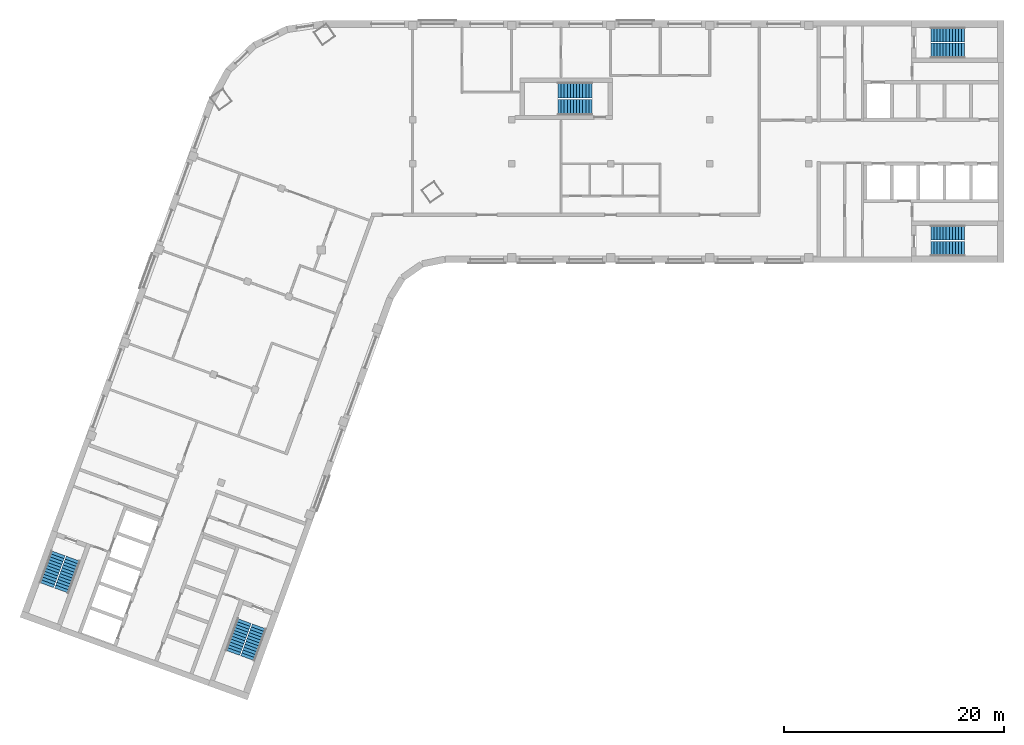
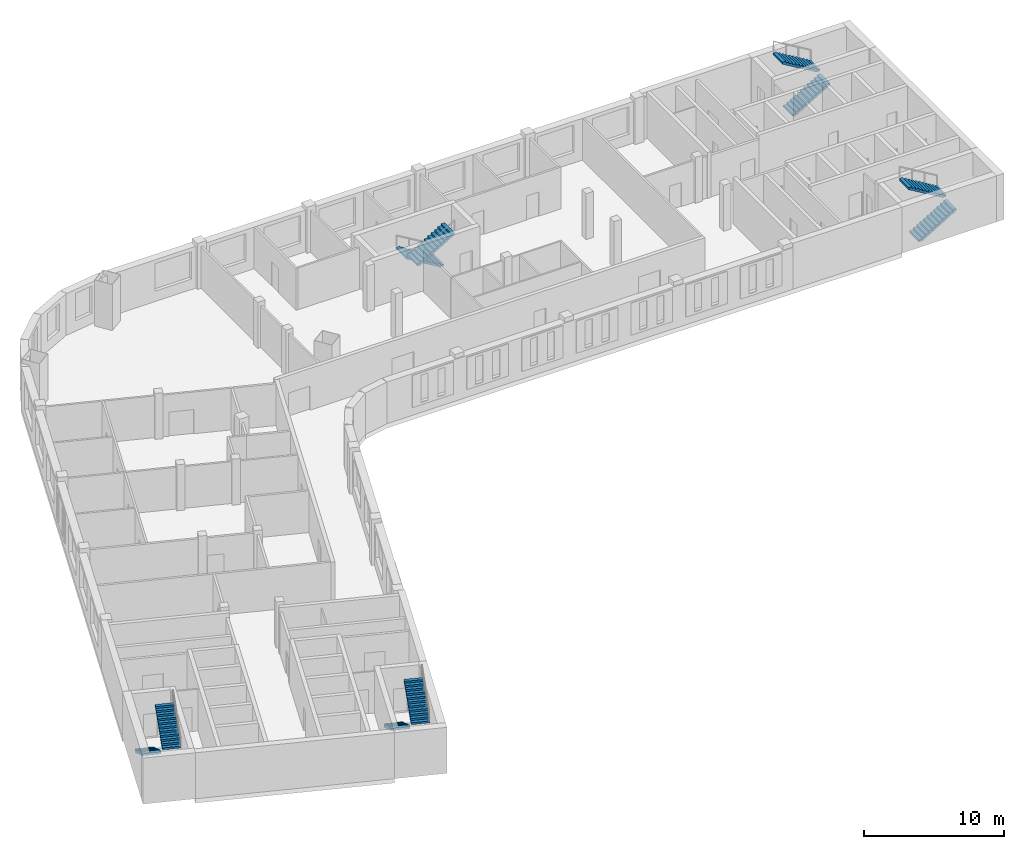
# One storey, part 7 of 8: 10 stair flights, 5 elements without a shape of their own.
"""IFC4 building model written with IfcOpenShell, lengths in metres."""

import ifcopenshell
import ifcopenshell.guid

model = None  # the IFC model being written
_history = None  # IfcOwnerHistory: only IFC2X3 demands one
_inside = {}  # id of a spatial element -> (the spatial element, [elements in it])
_under = {}  # id of a project, library or spatial element -> (it, [spatial elements below it])
_declared = {}  # id of a project -> (the project, [libraries it declares])
_typed = {}  # id of a type object -> (the type object, [elements of that type])
_made_of = {}  # id of a material, layer set ... -> (it, [elements and type objects made of it])


def new_model(schema):
    """Start an empty IFC model of exactly this schema.

    Asked for "IFC4X3", IfcOpenShell would pick the latest addendum, in which some entities
    have other attributes; the version numbers below select the first issue.
    IFC2X3 requires an IfcOwnerHistory on every rooted entity: one is made here for all.
    """
    global model, _history
    if schema == "IFC4X3":
        model = ifcopenshell.file(schema_version=(4, 3, 0, 0))
    else:
        model = ifcopenshell.file(schema=schema)
    _inside.clear()
    _under.clear()
    _declared.clear()
    _typed.clear()
    _made_of.clear()
    _history = None
    if model.schema == "IFC2X3":
        org = make("IfcOrganization", Name="unknown")
        user = make(
            "IfcPersonAndOrganization",
            ThePerson=make("IfcPerson", FamilyName="unknown"),
            TheOrganization=org,
        )
        app = make(
            "IfcApplication",
            ApplicationDeveloper=org,
            Version="unknown",
            ApplicationFullName="unknown",
            ApplicationIdentifier="unknown",
        )
        _history = make(
            "IfcOwnerHistory",
            OwningUser=user,
            OwningApplication=app,
            ChangeAction="ADDED",
            CreationDate=0,
        )
    return model


def make(cls, **values):
    """One entity of the class cls with the attributes given. An attribute that is None is left unset."""
    return model.create_entity(
        cls, **{name: value for name, value in values.items() if value is not None}
    )


def rooted(cls, **values):
    """An entity with a GlobalId (a new one), such as an element, a storey or a relation."""
    return make(cls, GlobalId=ifcopenshell.guid.new(), OwnerHistory=_history, **values)


def si_unit(unit_type, name, prefix=None):
    """IfcSIUnit, for example si_unit("LENGTHUNIT", "METRE", prefix="MILLI")."""
    return make("IfcSIUnit", UnitType=unit_type, Prefix=prefix, Name=name)


def assignment(units):
    """IfcUnitAssignment: the units of a project."""
    return None if units is None else make("IfcUnitAssignment", Units=units)


def point(xyz):
    """IfcCartesianPoint."""
    return None if xyz is None else make("IfcCartesianPoint", Coordinates=xyz)


def direction(xyz):
    """IfcDirection."""
    return None if xyz is None else make("IfcDirection", DirectionRatios=xyz)


def frame(location, z_axis=None, x_axis=None):
    """IfcAxis2Placement3D, a coordinate frame: its origin and axes. An axis left out is left unset."""
    return make(
        "IfcAxis2Placement3D",
        Location=point(location),
        Axis=direction(z_axis),
        RefDirection=direction(x_axis),
    )


def origin():
    """The frame at (0, 0, 0) with its axes left unset."""
    return frame((0.0, 0.0, 0.0))


def place(relative_to, where):
    """IfcLocalPlacement: puts the frame where relative to a parent placement (None: the world)."""
    return make(
        "IfcLocalPlacement", PlacementRelTo=relative_to, RelativePlacement=where
    )


def context(
    kind, dimensions, precision=None, world=None, true_north=None, identifier=None
):
    """IfcGeometricRepresentationContext, for example the 3D "Model" context."""
    return make(
        "IfcGeometricRepresentationContext",
        ContextIdentifier=identifier,
        ContextType=kind,
        CoordinateSpaceDimension=dimensions,
        Precision=precision,
        WorldCoordinateSystem=world,
        TrueNorth=true_north,
    )


def subcontext(parent, identifier, kind, view, scale=None):
    """IfcGeometricRepresentationSubContext, for example "Body" below "Model"."""
    return make(
        "IfcGeometricRepresentationSubContext",
        ContextIdentifier=identifier,
        ContextType=kind,
        ParentContext=parent,
        TargetScale=scale,
        TargetView=view,
    )


def project(units=None, contexts=None):
    """IfcProject with its units and contexts."""
    return rooted(
        "IfcProject",
        Name="project",
        RepresentationContexts=contexts,
        UnitsInContext=assignment(units),
    )


def spatial(cls, under=None, at=None, **own):
    """A site, building, storey or space (cls), placed at a placement, below another one or the project."""
    s = rooted(cls, ObjectPlacement=at, **own)
    if under is not None:
        _under.setdefault(under.id(), (under, []))[1].append(s)
    return s


def polyline(points):
    """IfcPolyline through the points."""
    return make("IfcPolyline", Points=[point(p) for p in points])


def outline(outer, holes=None, kind="AREA"):
    """IfcArbitraryClosedProfileDef: a profile drawn as a closed curve; with holes, ...WithVoids."""
    if holes is None:
        return make("IfcArbitraryClosedProfileDef", ProfileType=kind, OuterCurve=outer)
    return make(
        "IfcArbitraryProfileDefWithVoids",
        ProfileType=kind,
        OuterCurve=outer,
        InnerCurves=holes,
    )


def extrude(swept, where, along, depth):
    """IfcExtrudedAreaSolid: the profile swept, set in the frame where, extruded along a direction by depth."""
    return make(
        "IfcExtrudedAreaSolid",
        SweptArea=swept,
        Position=where,
        ExtrudedDirection=direction(along),
        Depth=depth,
    )


def shape(context_of_items, identifier, shape_type, items):
    """IfcShapeRepresentation: the items that make up one representation, for example the "Body"."""
    return make(
        "IfcShapeRepresentation",
        ContextOfItems=context_of_items,
        RepresentationIdentifier=identifier,
        RepresentationType=shape_type,
        Items=items,
    )


def material(Name=None, Category=None):
    """IfcMaterial."""
    return make("IfcMaterial", Name=Name, Category=Category)


def made_of(thing, what):
    """Note that an element or type object is made of a material, layer set ...; save() writes the relation."""
    if what is not None:
        _made_of.setdefault(what.id(), (what, []))[1].append(thing)
    return thing


def type_object(cls, material=None, **own):
    """A type object (cls), such as IfcWallType, which elements share."""
    return made_of(rooted(cls, **own), material)


def element(
    cls,
    number,
    at=None,
    inside=None,
    cuts=None,
    type_object=None,
    material=None,
    context=None,
    identifier="Body",
    shape_type=None,
    held_by="IfcProductDefinitionShape",
    body=None,
    shapes=None,
    **own,
):
    """One element of the class cls, such as IfcWall. Its Tag is "e" and its number.

    at: its placement. inside: the storey or other place that contains it. cuts: it is an
    opening in that element (IfcRelVoidsElement). A single representation is given by context,
    identifier, shape_type and body (its items); several are given by shapes. held_by: the class
    of the entity that holds the representations. save() writes the other relations.
    """
    e = rooted(cls, Tag="e%d" % number, ObjectPlacement=at, **own)
    if body is not None:
        shapes = [shape(context, identifier, shape_type, body)]
    if shapes is not None:
        e.Representation = make(held_by, Representations=shapes)
    if inside is not None:
        _inside.setdefault(inside.id(), (inside, []))[1].append(e)
    if cuts is not None:
        rooted(
            "IfcRelVoidsElement", RelatingBuildingElement=cuts, RelatedOpeningElement=e
        )
    if type_object is not None:
        _typed.setdefault(type_object.id(), (type_object, []))[1].append(e)
    return made_of(e, material)


def aggregate(whole, parts):
    """IfcRelAggregates: a whole, such as a stair, and the parts it consists of."""
    return rooted("IfcRelAggregates", RelatingObject=whole, RelatedObjects=parts)


def save(model, path):
    """Write the relations noted so far, then the file.

    IfcRelAggregates (storeys below a building ...), IfcRelContainedInSpatialStructure (elements
    in a storey), IfcRelDefinesByType, IfcRelAssociatesMaterial and IfcRelDeclares: one each for
    every whole, place, type object, material and project.
    """
    for whole, parts in _under.values():
        aggregate(whole, parts)
    for where, things in _inside.values():
        rooted(
            "IfcRelContainedInSpatialStructure",
            RelatedElements=things,
            RelatingStructure=where,
        )
    for kind, things in _typed.values():
        rooted("IfcRelDefinesByType", RelatedObjects=things, RelatingType=kind)
    for what, things in _made_of.values():
        rooted("IfcRelAssociatesMaterial", RelatedObjects=things, RelatingMaterial=what)
    for by, libraries in _declared.values():
        rooted("IfcRelDeclares", RelatingContext=by, RelatedDefinitions=libraries)
    model.write(path)


model = new_model("IFC4")

# Units and contexts
model_context = context("Model", 3, precision=1e-05, world=origin(), true_north=direction((0.0, 1.0)))
body_context = subcontext(model_context, "Body", "Model", "MODEL_VIEW")
ifc_project = project(units=[si_unit("LENGTHUNIT", "METRE"), si_unit("AREAUNIT", "SQUARE_METRE"), si_unit("VOLUMEUNIT", "CUBIC_METRE"), si_unit("PLANEANGLEUNIT", "RADIAN"), si_unit("MASSUNIT", "GRAM", prefix="KILO")], contexts=[model_context])

# Site, building, storey
site_placement = place(None, origin())
site = spatial("IfcSite", under=ifc_project, at=site_placement, CompositionType="ELEMENT")
building_placement = place(site_placement, origin())
building = spatial("IfcBuilding", under=site, at=building_placement, Name="Skarvind Civic Tower", CompositionType="ELEMENT")
storey_placement = place(building_placement, frame((0.0, 0.0, 196.0)))
storey = spatial("IfcBuildingStorey", under=building, at=storey_placement, Name="L46", CompositionType="ELEMENT", Elevation=196.0)

# Stair, stair flights
ifc_material = material(Name="Concrete C40/50", Category="concrete")
stair_type_1 = type_object("IfcStairType", Name="Exit stair 1450, half-turn, concrete", PredefinedType="HALF_TURN_STAIR", material=ifc_material)
stair_1_placement = place(storey_placement, origin())
stair_1 = element("IfcStair", 1, at=stair_1_placement, inside=storey, type_object=stair_type_1, Name="Exit stair CM", PredefinedType="HALF_TURN_STAIR")
stair_flight_type_1 = type_object("IfcStairFlightType", Name="Stair flight 1450, concrete", PredefinedType="STRAIGHT", material=ifc_material)
stair_flight_1_placement = place(storey_placement, frame((70.550048828125, 132.675048828125, 0.0), z_axis=(0.0, 0.0, 1.0), x_axis=(-1.0, 0.0, 0.0)))
stair_flight_1 = element("IfcStairFlight", 2, at=stair_flight_1_placement, type_object=stair_flight_type_1, Name="ST-CM flight 1", NumberOfRisers=12, NumberOfTreads=11, PredefinedType="STRAIGHT", RiserHeight=0.166666667, TreadLength=0.28, context=body_context, shape_type="SweptSolid", body=[
    extrude(outline(polyline([(0.0, 0.0), (0.0, 0.166748046875), (0.280029296875, 0.166748046875), (0.280029296875, 0.333251953125), (0.56005859375, 0.333251953125), (0.56005859375, 0.5), (0.840087890625, 0.5), (0.840087890625, 0.666748046875), (1.1201171875, 0.666748046875), (1.1201171875, 0.833251953125), (1.39990234375, 0.833251953125), (1.39990234375, 1.0), (1.679931640625, 1.0), (1.679931640625, 1.166748046875), (1.9599609375, 1.166748046875), (1.9599609375, 1.333251953125), (2.239990234375, 1.333251953125), (2.239990234375, 1.5), (2.52001953125, 1.5), (2.52001953125, 1.666748046875), (2.800048828125, 1.666748046875), (2.800048828125, 1.833251953125), (3.080078125, 1.833251953125), (3.080078125, 2.0), (3.080078125, 1.658935546875), (0.29296875, 0.0), (0.0, 0.0)])), frame((0.0, 0.72509765625, 0.0), z_axis=(0.0, -1.0, 0.0), x_axis=(1.0, 0.0, 0.0)), (0.0, 0.0, 1.0), 1.449951171875),
])
stair_flight_2_placement = place(storey_placement, frame((67.469970703125, 131.125, 2.0), z_axis=(0.0, 0.0, 1.0), x_axis=(1.0, 0.0, 0.0)))
stair_flight_2 = element("IfcStairFlight", 3, at=stair_flight_2_placement, type_object=stair_flight_type_1, Name="ST-CM flight 2", NumberOfRisers=12, NumberOfTreads=11, PredefinedType="STRAIGHT", RiserHeight=0.166666667, TreadLength=0.28, context=body_context, shape_type="SweptSolid", body=[
    extrude(outline(polyline([(0.0, 0.0), (0.0, 0.166748046875), (0.280029296875, 0.166748046875), (0.280029296875, 0.333251953125), (0.56005859375, 0.333251953125), (0.56005859375, 0.5), (0.840087890625, 0.5), (0.840087890625, 0.666748046875), (1.1201171875, 0.666748046875), (1.1201171875, 0.833251953125), (1.39990234375, 0.833251953125), (1.39990234375, 1.0), (1.679931640625, 1.0), (1.679931640625, 1.166748046875), (1.9599609375, 1.166748046875), (1.9599609375, 1.333251953125), (2.239990234375, 1.333251953125), (2.239990234375, 1.5), (2.52001953125, 1.5), (2.52001953125, 1.666748046875), (2.800048828125, 1.666748046875), (2.800048828125, 1.833251953125), (3.080078125, 1.833251953125), (3.080078125, 2.0), (3.080078125, 1.658935546875), (0.29296875, 0.0), (0.0, 0.0)])), frame((0.0, 0.72509765625, 0.0), z_axis=(0.0, -1.0, 0.0), x_axis=(1.0, 0.0, 0.0)), (0.0, 0.0, 1.0), 1.449951171875),
])
aggregate(stair_1, [stair_flight_1, stair_flight_2])

stair_type_2 = type_object("IfcStairType", Name="Exit stair, half-turn, concrete", PredefinedType="HALF_TURN_STAIR", material=ifc_material)
stair_2_placement = place(storey_placement, origin())
stair_2 = element("IfcStair", 4, at=stair_2_placement, inside=storey, type_object=stair_type_2, Name="Exit stair C1S", PredefinedType="HALF_TURN_STAIR")
stair_flight_type_2 = type_object("IfcStairFlightType", Name="Stair flight, concrete", PredefinedType="STRAIGHT", material=ifc_material)
stair_flight_3_placement = place(storey_placement, frame((101.35009765625, 136.27490234375, 0.0), z_axis=(0.0, 0.0, 1.0), x_axis=(1.0, 0.0, 0.0)))
stair_flight_3 = element("IfcStairFlight", 5, at=stair_flight_3_placement, type_object=stair_flight_type_2, Name="ST-C1S flight 1", NumberOfRisers=12, NumberOfTreads=11, PredefinedType="STRAIGHT", RiserHeight=0.166666667, TreadLength=0.28, context=body_context, shape_type="SweptSolid", body=[
    extrude(outline(polyline([(0.0, 0.0), (0.0, 0.166748046875), (0.280029296875, 0.166748046875), (0.280029296875, 0.333251953125), (0.56005859375, 0.333251953125), (0.56005859375, 0.5), (0.840087890625, 0.5), (0.840087890625, 0.666748046875), (1.1201171875, 0.666748046875), (1.1201171875, 0.833251953125), (1.39990234375, 0.833251953125), (1.39990234375, 1.0), (1.679931640625, 1.0), (1.679931640625, 1.166748046875), (1.9599609375, 1.166748046875), (1.9599609375, 1.333251953125), (2.239990234375, 1.333251953125), (2.239990234375, 1.5), (2.52001953125, 1.5), (2.52001953125, 1.666748046875), (2.800048828125, 1.666748046875), (2.800048828125, 1.833251953125), (3.080078125, 1.833251953125), (3.080078125, 2.0), (3.080078125, 1.658935546875), (0.29296875, 0.0), (0.0, 0.0)])), frame((0.0, 0.675048828125, 0.0), z_axis=(0.0, -1.0, 0.0), x_axis=(1.0, 0.0, 0.0)), (0.0, 0.0, 1.0), 1.35009765625),
])
stair_flight_4_placement = place(storey_placement, frame((104.429931640625, 137.72509765625, 2.0), z_axis=(0.0, 0.0, 1.0), x_axis=(-1.0, 0.0, 0.0)))
stair_flight_4 = element("IfcStairFlight", 6, at=stair_flight_4_placement, type_object=stair_flight_type_2, Name="ST-C1S flight 2", NumberOfRisers=12, NumberOfTreads=11, PredefinedType="STRAIGHT", RiserHeight=0.166666667, TreadLength=0.28, context=body_context, shape_type="SweptSolid", body=[
    extrude(outline(polyline([(0.0, 0.0), (0.0, 0.166748046875), (0.280029296875, 0.166748046875), (0.280029296875, 0.333251953125), (0.56005859375, 0.333251953125), (0.56005859375, 0.5), (0.840087890625, 0.5), (0.840087890625, 0.666748046875), (1.1201171875, 0.666748046875), (1.1201171875, 0.833251953125), (1.39990234375, 0.833251953125), (1.39990234375, 1.0), (1.679931640625, 1.0), (1.679931640625, 1.166748046875), (1.9599609375, 1.166748046875), (1.9599609375, 1.333251953125), (2.239990234375, 1.333251953125), (2.239990234375, 1.5), (2.52001953125, 1.5), (2.52001953125, 1.666748046875), (2.800048828125, 1.666748046875), (2.800048828125, 1.833251953125), (3.080078125, 1.833251953125), (3.080078125, 2.0), (3.080078125, 1.658935546875), (0.29296875, 0.0), (0.0, 0.0)])), frame((0.0, 0.675048828125, 0.0), z_axis=(0.0, -1.0, 0.0), x_axis=(1.0, 0.0, 0.0)), (0.0, 0.0, 1.0), 1.35009765625),
])
aggregate(stair_2, [stair_flight_3, stair_flight_4])

stair_3_placement = place(storey_placement, origin())
stair_3 = element("IfcStair", 7, at=stair_3_placement, inside=storey, type_object=stair_type_2, Name="Exit stair C1N", PredefinedType="HALF_TURN_STAIR")
stair_flight_5_placement = place(storey_placement, frame((101.35009765625, 118.27490234375, 0.0), z_axis=(0.0, 0.0, 1.0), x_axis=(1.0, 0.0, 0.0)))
stair_flight_5 = element("IfcStairFlight", 8, at=stair_flight_5_placement, type_object=stair_flight_type_2, Name="ST-C1N flight 1", NumberOfRisers=12, NumberOfTreads=11, PredefinedType="STRAIGHT", RiserHeight=0.166666667, TreadLength=0.28, context=body_context, shape_type="SweptSolid", body=[
    extrude(outline(polyline([(0.0, 0.0), (0.0, 0.166748046875), (0.280029296875, 0.166748046875), (0.280029296875, 0.333251953125), (0.56005859375, 0.333251953125), (0.56005859375, 0.5), (0.840087890625, 0.5), (0.840087890625, 0.666748046875), (1.1201171875, 0.666748046875), (1.1201171875, 0.833251953125), (1.39990234375, 0.833251953125), (1.39990234375, 1.0), (1.679931640625, 1.0), (1.679931640625, 1.166748046875), (1.9599609375, 1.166748046875), (1.9599609375, 1.333251953125), (2.239990234375, 1.333251953125), (2.239990234375, 1.5), (2.52001953125, 1.5), (2.52001953125, 1.666748046875), (2.800048828125, 1.666748046875), (2.800048828125, 1.833251953125), (3.080078125, 1.833251953125), (3.080078125, 2.0), (3.080078125, 1.658935546875), (0.29296875, 0.0), (0.0, 0.0)])), frame((0.0, 0.675048828125, 0.0), z_axis=(0.0, -1.0, 0.0), x_axis=(1.0, 0.0, 0.0)), (0.0, 0.0, 1.0), 1.35009765625),
])
stair_flight_6_placement = place(storey_placement, frame((104.429931640625, 119.72509765625, 2.0), z_axis=(0.0, 0.0, 1.0), x_axis=(-1.0, 0.0, 0.0)))
stair_flight_6 = element("IfcStairFlight", 9, at=stair_flight_6_placement, type_object=stair_flight_type_2, Name="ST-C1N flight 2", NumberOfRisers=12, NumberOfTreads=11, PredefinedType="STRAIGHT", RiserHeight=0.166666667, TreadLength=0.28, context=body_context, shape_type="SweptSolid", body=[
    extrude(outline(polyline([(0.0, 0.0), (0.0, 0.166748046875), (0.280029296875, 0.166748046875), (0.280029296875, 0.333251953125), (0.56005859375, 0.333251953125), (0.56005859375, 0.5), (0.840087890625, 0.5), (0.840087890625, 0.666748046875), (1.1201171875, 0.666748046875), (1.1201171875, 0.833251953125), (1.39990234375, 0.833251953125), (1.39990234375, 1.0), (1.679931640625, 1.0), (1.679931640625, 1.166748046875), (1.9599609375, 1.166748046875), (1.9599609375, 1.333251953125), (2.239990234375, 1.333251953125), (2.239990234375, 1.5), (2.52001953125, 1.5), (2.52001953125, 1.666748046875), (2.800048828125, 1.666748046875), (2.800048828125, 1.833251953125), (3.080078125, 1.833251953125), (3.080078125, 2.0), (3.080078125, 1.658935546875), (0.29296875, 0.0), (0.0, 0.0)])), frame((0.0, 0.675048828125, 0.0), z_axis=(0.0, -1.0, 0.0), x_axis=(1.0, 0.0, 0.0)), (0.0, 0.0, 1.0), 1.35009765625),
])
aggregate(stair_3, [stair_flight_5, stair_flight_6])

stair_4_placement = place(storey_placement, origin())
stair_4 = element("IfcStair", 10, at=stair_4_placement, inside=storey, type_object=stair_type_2, Name="Exit stair C2S", PredefinedType="HALF_TURN_STAIR")
stair_flight_7_placement = place(storey_placement, frame((38.949462890625, 84.43408203125, 0.0), z_axis=(0.0, 0.0, 1.0), x_axis=(-0.342020143326, -0.939692620786, 0.0)))
stair_flight_7 = element("IfcStairFlight", 11, at=stair_flight_7_placement, type_object=stair_flight_type_2, Name="ST-C2S flight 1", NumberOfRisers=12, NumberOfTreads=11, PredefinedType="STRAIGHT", RiserHeight=0.166666667, TreadLength=0.28, context=body_context, shape_type="SweptSolid", body=[
    extrude(outline(polyline([(0.0, 0.0), (0.0, 0.166748046875), (0.280029296875, 0.166748046875), (0.280029296875, 0.333251953125), (0.56005859375, 0.333251953125), (0.56005859375, 0.5), (0.840087890625, 0.5), (0.840087890625, 0.666748046875), (1.1201171875, 0.666748046875), (1.1201171875, 0.833251953125), (1.39990234375, 0.833251953125), (1.39990234375, 1.0), (1.679931640625, 1.0), (1.679931640625, 1.166748046875), (1.9599609375, 1.166748046875), (1.9599609375, 1.333251953125), (2.239990234375, 1.333251953125), (2.239990234375, 1.5), (2.52001953125, 1.5), (2.52001953125, 1.666748046875), (2.800048828125, 1.666748046875), (2.800048828125, 1.833251953125), (3.080078125, 1.833251953125), (3.080078125, 2.0), (3.080078125, 1.658935546875), (0.29296875, 0.0), (0.0, 0.0)])), frame((0.0, 0.675048828125, 0.0), z_axis=(0.0, -1.0, 0.0), x_axis=(1.0, 0.0, 0.0)), (0.0, 0.0, 1.0), 1.35009765625),
])
stair_flight_8_placement = place(storey_placement, frame((39.258544921875, 81.0439453125, 2.0), z_axis=(0.0, 0.0, 1.0), x_axis=(0.342020143326, 0.939692620786, 0.0)))
stair_flight_8 = element("IfcStairFlight", 12, at=stair_flight_8_placement, type_object=stair_flight_type_2, Name="ST-C2S flight 2", NumberOfRisers=12, NumberOfTreads=11, PredefinedType="STRAIGHT", RiserHeight=0.166666667, TreadLength=0.28, context=body_context, shape_type="SweptSolid", body=[
    extrude(outline(polyline([(0.0, 0.0), (0.0, 0.166748046875), (0.280029296875, 0.166748046875), (0.280029296875, 0.333251953125), (0.56005859375, 0.333251953125), (0.56005859375, 0.5), (0.840087890625, 0.5), (0.840087890625, 0.666748046875), (1.1201171875, 0.666748046875), (1.1201171875, 0.833251953125), (1.39990234375, 0.833251953125), (1.39990234375, 1.0), (1.679931640625, 1.0), (1.679931640625, 1.166748046875), (1.9599609375, 1.166748046875), (1.9599609375, 1.333251953125), (2.239990234375, 1.333251953125), (2.239990234375, 1.5), (2.52001953125, 1.5), (2.52001953125, 1.666748046875), (2.800048828125, 1.666748046875), (2.800048828125, 1.833251953125), (3.080078125, 1.833251953125), (3.080078125, 2.0), (3.080078125, 1.658935546875), (0.29296875, 0.0), (0.0, 0.0)])), frame((0.0, 0.675048828125, 0.0), z_axis=(0.0, -1.0, 0.0), x_axis=(1.0, 0.0, 0.0)), (0.0, 0.0, 1.0), 1.35009765625),
])
aggregate(stair_4, [stair_flight_7, stair_flight_8])

stair_5_placement = place(storey_placement, origin())
stair_5 = element("IfcStair", 13, at=stair_5_placement, inside=storey, type_object=stair_type_2, Name="Exit stair C2N", PredefinedType="HALF_TURN_STAIR")
stair_flight_9_placement = place(storey_placement, frame((22.034912109375, 90.590576171875, 0.0), z_axis=(0.0, 0.0, 1.0), x_axis=(-0.342020143326, -0.939692620786, 0.0)))
stair_flight_9 = element("IfcStairFlight", 14, at=stair_flight_9_placement, type_object=stair_flight_type_2, Name="ST-C2N flight 1", NumberOfRisers=12, NumberOfTreads=11, PredefinedType="STRAIGHT", RiserHeight=0.166666667, TreadLength=0.28, context=body_context, shape_type="SweptSolid", body=[
    extrude(outline(polyline([(0.0, 0.0), (0.0, 0.166748046875), (0.280029296875, 0.166748046875), (0.280029296875, 0.333251953125), (0.56005859375, 0.333251953125), (0.56005859375, 0.5), (0.840087890625, 0.5), (0.840087890625, 0.666748046875), (1.1201171875, 0.666748046875), (1.1201171875, 0.833251953125), (1.39990234375, 0.833251953125), (1.39990234375, 1.0), (1.679931640625, 1.0), (1.679931640625, 1.166748046875), (1.9599609375, 1.166748046875), (1.9599609375, 1.333251953125), (2.239990234375, 1.333251953125), (2.239990234375, 1.5), (2.52001953125, 1.5), (2.52001953125, 1.666748046875), (2.800048828125, 1.666748046875), (2.800048828125, 1.833251953125), (3.080078125, 1.833251953125), (3.080078125, 2.0), (3.080078125, 1.658935546875), (0.29296875, 0.0), (0.0, 0.0)])), frame((0.0, 0.675048828125, 0.0), z_axis=(0.0, -1.0, 0.0), x_axis=(1.0, 0.0, 0.0)), (0.0, 0.0, 1.0), 1.35009765625),
])
stair_flight_10_placement = place(storey_placement, frame((22.343994140625, 87.2001953125, 2.0), z_axis=(0.0, 0.0, 1.0), x_axis=(0.342020143326, 0.939692620786, 0.0)))
stair_flight_10 = element("IfcStairFlight", 15, at=stair_flight_10_placement, type_object=stair_flight_type_2, Name="ST-C2N flight 2", NumberOfRisers=12, NumberOfTreads=11, PredefinedType="STRAIGHT", RiserHeight=0.166666667, TreadLength=0.28, context=body_context, shape_type="SweptSolid", body=[
    extrude(outline(polyline([(0.0, 0.0), (0.0, 0.166748046875), (0.280029296875, 0.166748046875), (0.280029296875, 0.333251953125), (0.56005859375, 0.333251953125), (0.56005859375, 0.5), (0.840087890625, 0.5), (0.840087890625, 0.666748046875), (1.1201171875, 0.666748046875), (1.1201171875, 0.833251953125), (1.39990234375, 0.833251953125), (1.39990234375, 1.0), (1.679931640625, 1.0), (1.679931640625, 1.166748046875), (1.9599609375, 1.166748046875), (1.9599609375, 1.333251953125), (2.239990234375, 1.333251953125), (2.239990234375, 1.5), (2.52001953125, 1.5), (2.52001953125, 1.666748046875), (2.800048828125, 1.666748046875), (2.800048828125, 1.833251953125), (3.080078125, 1.833251953125), (3.080078125, 2.0), (3.080078125, 1.658935546875), (0.29296875, 0.0), (0.0, 0.0)])), frame((0.0, 0.675048828125, 0.0), z_axis=(0.0, -1.0, 0.0), x_axis=(1.0, 0.0, 0.0)), (0.0, 0.0, 1.0), 1.35009765625),
])
aggregate(stair_5, [stair_flight_9, stair_flight_10])

save(model, "model.ifc")
